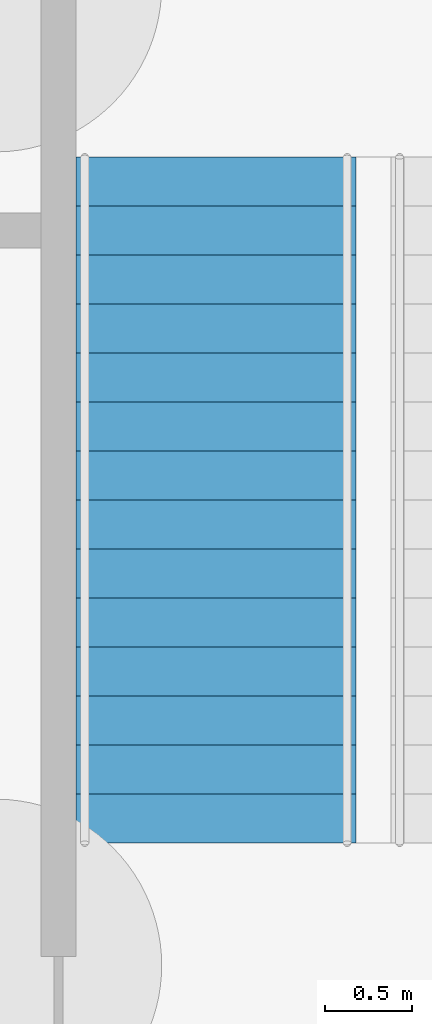
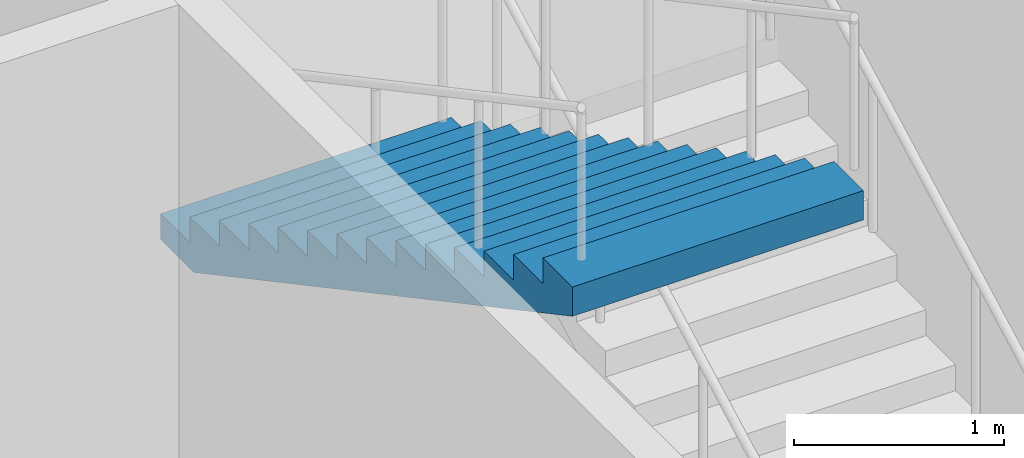
# One storey, part 105 of 113: 1 stair flight, 1 element without a shape of its own.
"""IFC4 building model written with IfcOpenShell, lengths in metres."""

from ifc_helpers import new_model, si_unit, direction, frame, origin, place, context, subcontext, project, spatial, triangles, material, type_object, element, aggregate, save


model = new_model("IFC4")

# Units and contexts
model_context = context("Model", 3, precision=1e-05, world=origin(), true_north=direction((0.0, 1.0)))
body_context = subcontext(model_context, "Body", "Model", "MODEL_VIEW")
ifc_project = project(units=[si_unit("LENGTHUNIT", "METRE"), si_unit("AREAUNIT", "SQUARE_METRE"), si_unit("VOLUMEUNIT", "CUBIC_METRE"), si_unit("PLANEANGLEUNIT", "RADIAN"), si_unit("MASSUNIT", "GRAM", prefix="KILO")], contexts=[model_context])

# Site, building, storey
site_placement = place(None, origin())
site = spatial("IfcSite", under=ifc_project, at=site_placement, CompositionType="ELEMENT")
building_placement = place(site_placement, origin())
building = spatial("IfcBuilding", under=site, at=building_placement, Name="Hakoniwa Tower and Hamabe Station Hall", CompositionType="ELEMENT")
storey_placement = place(building_placement, origin())
storey = spatial("IfcBuildingStorey", under=building, at=storey_placement, Name="L01", CompositionType="ELEMENT", Elevation=0.0)

# Stair, stair flight
ifc_material_1 = material(Name="Concrete C40", Category="concrete")
stair_type = type_object("IfcStairType", Name="STAIR 1600 15X150", PredefinedType="HALF_TURN_STAIR", material=ifc_material_1)
stair_placement = place(storey_placement, origin())
stair = element("IfcStair", 1, at=stair_placement, inside=storey, type_object=stair_type, Name="Escape stair SS2 L01", PredefinedType="HALF_TURN_STAIR")
ifc_material_2 = material(Name="Concrete C40", Category="concrete")
stair_flight_type = type_object("IfcStairFlightType", Name="STAIR FLIGHT 1600", PredefinedType="STRAIGHT", material=ifc_material_2)
stair_flight_placement = place(storey_placement, frame((165.85009765625, 20.820068359375, 6.75), z_axis=(0.0, 0.0, 1.0), x_axis=(0.0, -1.0, 0.0)))
stair_flight = element("IfcStairFlight", 2, at=stair_flight_placement, type_object=stair_flight_type, Name="SS2 flight 4", NumberOfRisers=15, NumberOfTreads=14, PredefinedType="STRAIGHT", RiserHeight=0.15, TreadLength=0.28, context=body_context, shape_type="Tessellation", body=[
    triangles([(0.0, 0.800048828125, 0.0), (0.280029296875, 0.800048828125, 0.0), (0.3173828125, 0.800048828125, 0.0), (0.56005859375, 0.800048828125, 0.1298828125), (0.840087890625, 0.800048828125, 0.280029296875), (1.1201171875, 0.800048828125, 0.429931640625), (1.39990234375, 0.800048828125, 0.579833984375), (1.679931640625, 0.800048828125, 0.72998046875), (1.9599609375, 0.800048828125, 0.8798828125), (2.239990234375, 0.800048828125, 1.030029296875), (2.52001953125, 0.800048828125, 1.179931640625), (2.800048828125, 0.800048828125, 1.329833984375), (3.080078125, 0.800048828125, 1.47998046875), (3.360107421875, 0.800048828125, 1.6298828125), (3.639892578125, 0.800048828125, 1.780029296875), (3.919921875, 0.800048828125, 1.929931640625), (3.919921875, 0.800048828125, 2.10009765625), (3.639892578125, 0.800048828125, 2.10009765625), (3.639892578125, 0.800048828125, 1.949951171875), (3.360107421875, 0.800048828125, 1.949951171875), (3.360107421875, 0.800048828125, 1.800048828125), (3.080078125, 0.800048828125, 1.800048828125), (3.080078125, 0.800048828125, 1.64990234375), (2.800048828125, 0.800048828125, 1.64990234375), (2.800048828125, 0.800048828125, 1.5), (2.52001953125, 0.800048828125, 1.5), (2.52001953125, 0.800048828125, 1.35009765625), (2.239990234375, 0.800048828125, 1.35009765625), (2.239990234375, 0.800048828125, 1.199951171875), (1.9599609375, 0.800048828125, 1.199951171875), (1.9599609375, 0.800048828125, 1.050048828125), (1.679931640625, 0.800048828125, 1.050048828125), (1.679931640625, 0.800048828125, 0.89990234375), (1.39990234375, 0.800048828125, 0.89990234375), (1.39990234375, 0.800048828125, 0.75), (1.1201171875, 0.800048828125, 0.75), (1.1201171875, 0.800048828125, 0.60009765625), (0.840087890625, 0.800048828125, 0.60009765625), (0.840087890625, 0.800048828125, 0.449951171875), (0.56005859375, 0.800048828125, 0.449951171875), (0.56005859375, 0.800048828125, 0.300048828125), (0.3173828125, 0.800048828125, 0.300048828125), (0.280029296875, 0.800048828125, 0.300048828125), (0.280029296875, 0.800048828125, 0.14990234375), (0.0, 0.800048828125, 0.14990234375), (0.0, 0.06005859375, 0.0), (0.280029296875, 0.06005859375, 0.0), (0.3173828125, 0.06005859375, 0.0), (0.56005859375, 0.06005859375, 0.1298828125), (0.840087890625, 0.06005859375, 0.280029296875), (1.1201171875, 0.06005859375, 0.429931640625), (1.39990234375, 0.06005859375, 0.579833984375), (1.679931640625, 0.06005859375, 0.72998046875), (1.9599609375, 0.06005859375, 0.8798828125), (2.239990234375, 0.06005859375, 1.030029296875), (2.52001953125, 0.06005859375, 1.179931640625), (2.800048828125, 0.06005859375, 1.329833984375), (3.080078125, 0.06005859375, 1.47998046875), (3.360107421875, 0.06005859375, 1.6298828125), (3.639892578125, 0.06005859375, 1.780029296875), (3.919921875, 0.06005859375, 1.929931640625), (3.919921875, 0.06005859375, 2.10009765625), (3.639892578125, 0.06005859375, 2.10009765625), (3.639892578125, 0.06005859375, 1.949951171875), (3.360107421875, 0.06005859375, 1.949951171875), (3.360107421875, 0.06005859375, 1.800048828125), (3.080078125, 0.06005859375, 1.800048828125), (3.080078125, 0.06005859375, 1.64990234375), (2.800048828125, 0.06005859375, 1.64990234375), (2.800048828125, 0.06005859375, 1.5), (2.52001953125, 0.06005859375, 1.5), (2.52001953125, 0.06005859375, 1.35009765625), (2.239990234375, 0.06005859375, 1.35009765625), (2.239990234375, 0.06005859375, 1.199951171875), (1.9599609375, 0.06005859375, 1.199951171875), (1.9599609375, 0.06005859375, 1.050048828125), (1.679931640625, 0.06005859375, 1.050048828125), (1.679931640625, 0.06005859375, 0.89990234375), (1.39990234375, 0.06005859375, 0.89990234375), (1.39990234375, 0.06005859375, 0.75), (1.1201171875, 0.06005859375, 0.75), (1.1201171875, 0.06005859375, 0.60009765625), (0.840087890625, 0.06005859375, 0.60009765625), (0.840087890625, 0.06005859375, 0.449951171875), (0.56005859375, 0.06005859375, 0.449951171875), (0.56005859375, 0.06005859375, 0.300048828125), (0.3173828125, 0.06005859375, 0.300048828125), (0.280029296875, 0.06005859375, 0.300048828125), (0.280029296875, 0.06005859375, 0.14990234375), (0.0, 0.06005859375, 0.14990234375), (0.0, 0.02001953125, 0.0), (0.280029296875, 0.02001953125, 0.0), (0.3173828125, 0.02001953125, 0.0), (0.56005859375, 0.02001953125, 0.1298828125), (0.840087890625, 0.02001953125, 0.280029296875), (1.1201171875, 0.02001953125, 0.429931640625), (1.39990234375, 0.02001953125, 0.579833984375), (1.679931640625, 0.02001953125, 0.72998046875), (1.9599609375, 0.02001953125, 0.8798828125), (2.239990234375, 0.02001953125, 1.030029296875), (2.52001953125, 0.02001953125, 1.179931640625), (2.800048828125, 0.02001953125, 1.329833984375), (3.080078125, 0.02001953125, 1.47998046875), (3.360107421875, 0.02001953125, 1.6298828125), (3.639892578125, 0.02001953125, 1.780029296875), (3.919921875, 0.02001953125, 1.929931640625), (3.919921875, 0.02001953125, 2.10009765625), (3.639892578125, 0.02001953125, 2.10009765625), (3.639892578125, 0.02001953125, 1.949951171875), (3.360107421875, 0.02001953125, 1.949951171875), (3.360107421875, 0.02001953125, 1.800048828125), (3.080078125, 0.02001953125, 1.800048828125), (3.080078125, 0.02001953125, 1.64990234375), (2.800048828125, 0.02001953125, 1.64990234375), (2.800048828125, 0.02001953125, 1.5), (2.52001953125, 0.02001953125, 1.5), (2.52001953125, 0.02001953125, 1.35009765625), (2.239990234375, 0.02001953125, 1.35009765625), (2.239990234375, 0.02001953125, 1.199951171875), (1.9599609375, 0.02001953125, 1.199951171875), (1.9599609375, 0.02001953125, 1.050048828125), (1.679931640625, 0.02001953125, 1.050048828125), (1.679931640625, 0.02001953125, 0.89990234375), (1.39990234375, 0.02001953125, 0.89990234375), (1.39990234375, 0.02001953125, 0.75), (1.1201171875, 0.02001953125, 0.75), (1.1201171875, 0.02001953125, 0.60009765625), (0.840087890625, 0.02001953125, 0.60009765625), (0.840087890625, 0.02001953125, 0.449951171875), (0.56005859375, 0.02001953125, 0.449951171875), (0.56005859375, 0.02001953125, 0.300048828125), (0.3173828125, 0.02001953125, 0.300048828125), (0.280029296875, 0.02001953125, 0.300048828125), (0.280029296875, 0.02001953125, 0.14990234375), (0.0, 0.02001953125, 0.14990234375), (0.0, -0.02001953125, 0.0), (0.280029296875, -0.02001953125, 0.0), (0.3173828125, -0.02001953125, 0.0), (0.56005859375, -0.02001953125, 0.1298828125), (0.840087890625, -0.02001953125, 0.280029296875), (1.1201171875, -0.02001953125, 0.429931640625), (1.39990234375, -0.02001953125, 0.579833984375), (1.679931640625, -0.02001953125, 0.72998046875), (1.9599609375, -0.02001953125, 0.8798828125), (2.239990234375, -0.02001953125, 1.030029296875), (2.52001953125, -0.02001953125, 1.179931640625), (2.800048828125, -0.02001953125, 1.329833984375), (3.080078125, -0.02001953125, 1.47998046875), (3.360107421875, -0.02001953125, 1.6298828125), (3.639892578125, -0.02001953125, 1.780029296875), (3.919921875, -0.02001953125, 1.929931640625), (3.919921875, -0.02001953125, 2.10009765625), (3.639892578125, -0.02001953125, 2.10009765625), (3.639892578125, -0.02001953125, 1.949951171875), (3.360107421875, -0.02001953125, 1.949951171875), (3.360107421875, -0.02001953125, 1.800048828125), (3.080078125, -0.02001953125, 1.800048828125), (3.080078125, -0.02001953125, 1.64990234375), (2.800048828125, -0.02001953125, 1.64990234375), (2.800048828125, -0.02001953125, 1.5), (2.52001953125, -0.02001953125, 1.5), (2.52001953125, -0.02001953125, 1.35009765625), (2.239990234375, -0.02001953125, 1.35009765625), (2.239990234375, -0.02001953125, 1.199951171875), (1.9599609375, -0.02001953125, 1.199951171875), (1.9599609375, -0.02001953125, 1.050048828125), (1.679931640625, -0.02001953125, 1.050048828125), (1.679931640625, -0.02001953125, 0.89990234375), (1.39990234375, -0.02001953125, 0.89990234375), (1.39990234375, -0.02001953125, 0.75), (1.1201171875, -0.02001953125, 0.75), (1.1201171875, -0.02001953125, 0.60009765625), (0.840087890625, -0.02001953125, 0.60009765625), (0.840087890625, -0.02001953125, 0.449951171875), (0.56005859375, -0.02001953125, 0.449951171875), (0.56005859375, -0.02001953125, 0.300048828125), (0.3173828125, -0.02001953125, 0.300048828125), (0.280029296875, -0.02001953125, 0.300048828125), (0.280029296875, -0.02001953125, 0.14990234375), (0.0, -0.02001953125, 0.14990234375), (0.0, -0.06005859375, 0.0), (0.280029296875, -0.06005859375, 0.0), (0.3173828125, -0.06005859375, 0.0), (0.56005859375, -0.06005859375, 0.1298828125), (0.840087890625, -0.06005859375, 0.280029296875), (1.1201171875, -0.06005859375, 0.429931640625), (1.39990234375, -0.06005859375, 0.579833984375), (1.679931640625, -0.06005859375, 0.72998046875), (1.9599609375, -0.06005859375, 0.8798828125), (2.239990234375, -0.06005859375, 1.030029296875), (2.52001953125, -0.06005859375, 1.179931640625), (2.800048828125, -0.06005859375, 1.329833984375), (3.080078125, -0.06005859375, 1.47998046875), (3.360107421875, -0.06005859375, 1.6298828125), (3.639892578125, -0.06005859375, 1.780029296875), (3.919921875, -0.06005859375, 1.929931640625), (3.919921875, -0.06005859375, 2.10009765625), (3.639892578125, -0.06005859375, 2.10009765625), (3.639892578125, -0.06005859375, 1.949951171875), (3.360107421875, -0.06005859375, 1.949951171875), (3.360107421875, -0.06005859375, 1.800048828125), (3.080078125, -0.06005859375, 1.800048828125), (3.080078125, -0.06005859375, 1.64990234375), (2.800048828125, -0.06005859375, 1.64990234375), (2.800048828125, -0.06005859375, 1.5), (2.52001953125, -0.06005859375, 1.5), (2.52001953125, -0.06005859375, 1.35009765625), (2.239990234375, -0.06005859375, 1.35009765625), (2.239990234375, -0.06005859375, 1.199951171875), (1.9599609375, -0.06005859375, 1.199951171875), (1.9599609375, -0.06005859375, 1.050048828125), (1.679931640625, -0.06005859375, 1.050048828125), (1.679931640625, -0.06005859375, 0.89990234375), (1.39990234375, -0.06005859375, 0.89990234375), (1.39990234375, -0.06005859375, 0.75), (1.1201171875, -0.06005859375, 0.75), (1.1201171875, -0.06005859375, 0.60009765625), (0.840087890625, -0.06005859375, 0.60009765625), (0.840087890625, -0.06005859375, 0.449951171875), (0.56005859375, -0.06005859375, 0.449951171875), (0.56005859375, -0.06005859375, 0.300048828125), (0.3173828125, -0.06005859375, 0.300048828125), (0.280029296875, -0.06005859375, 0.300048828125), (0.280029296875, -0.06005859375, 0.14990234375), (0.0, -0.06005859375, 0.14990234375), (0.0, -0.800048828125, 0.0), (0.280029296875, -0.800048828125, 0.0), (0.3173828125, -0.800048828125, 0.0), (0.56005859375, -0.800048828125, 0.1298828125), (0.840087890625, -0.800048828125, 0.280029296875), (1.1201171875, -0.800048828125, 0.429931640625), (1.39990234375, -0.800048828125, 0.579833984375), (1.679931640625, -0.800048828125, 0.72998046875), (1.9599609375, -0.800048828125, 0.8798828125), (2.239990234375, -0.800048828125, 1.030029296875), (2.52001953125, -0.800048828125, 1.179931640625), (2.800048828125, -0.800048828125, 1.329833984375), (3.080078125, -0.800048828125, 1.47998046875), (3.360107421875, -0.800048828125, 1.6298828125), (3.639892578125, -0.800048828125, 1.780029296875), (3.919921875, -0.800048828125, 1.929931640625), (3.919921875, -0.800048828125, 2.10009765625), (3.639892578125, -0.800048828125, 2.10009765625), (3.639892578125, -0.800048828125, 1.949951171875), (3.360107421875, -0.800048828125, 1.949951171875), (3.360107421875, -0.800048828125, 1.800048828125), (3.080078125, -0.800048828125, 1.800048828125), (3.080078125, -0.800048828125, 1.64990234375), (2.800048828125, -0.800048828125, 1.64990234375), (2.800048828125, -0.800048828125, 1.5), (2.52001953125, -0.800048828125, 1.5), (2.52001953125, -0.800048828125, 1.35009765625), (2.239990234375, -0.800048828125, 1.35009765625), (2.239990234375, -0.800048828125, 1.199951171875), (1.9599609375, -0.800048828125, 1.199951171875), (1.9599609375, -0.800048828125, 1.050048828125), (1.679931640625, -0.800048828125, 1.050048828125), (1.679931640625, -0.800048828125, 0.89990234375), (1.39990234375, -0.800048828125, 0.89990234375), (1.39990234375, -0.800048828125, 0.75), (1.1201171875, -0.800048828125, 0.75), (1.1201171875, -0.800048828125, 0.60009765625), (0.840087890625, -0.800048828125, 0.60009765625), (0.840087890625, -0.800048828125, 0.449951171875), (0.56005859375, -0.800048828125, 0.449951171875), (0.56005859375, -0.800048828125, 0.300048828125), (0.3173828125, -0.800048828125, 0.300048828125), (0.280029296875, -0.800048828125, 0.300048828125), (0.280029296875, -0.800048828125, 0.14990234375), (0.0, -0.800048828125, 0.14990234375)], [[2, 45, 44], [227, 269, 270], [2, 1, 45], [227, 270, 226], [3, 43, 42], [228, 267, 268], [3, 44, 43], [228, 268, 269], [3, 2, 44], [228, 269, 227], [4, 42, 41], [229, 266, 267], [4, 3, 42], [229, 267, 228], [5, 40, 39], [230, 264, 265], [5, 41, 40], [230, 265, 266], [5, 4, 41], [230, 266, 229], [6, 38, 37], [231, 262, 263], [6, 39, 38], [231, 263, 264], [6, 5, 39], [231, 264, 230], [7, 36, 35], [232, 260, 261], [7, 37, 36], [232, 261, 262], [7, 6, 37], [232, 262, 231], [8, 34, 33], [233, 258, 259], [8, 35, 34], [233, 259, 260], [8, 7, 35], [233, 260, 232], [9, 32, 31], [234, 256, 257], [9, 33, 32], [234, 257, 258], [9, 8, 33], [234, 258, 233], [10, 30, 29], [235, 254, 255], [10, 31, 30], [235, 255, 256], [10, 9, 31], [235, 256, 234], [11, 28, 27], [236, 252, 253], [11, 29, 28], [236, 253, 254], [11, 10, 29], [236, 254, 235], [12, 26, 25], [237, 250, 251], [12, 27, 26], [237, 251, 252], [12, 11, 27], [237, 252, 236], [13, 24, 23], [238, 248, 249], [13, 25, 24], [238, 249, 250], [13, 12, 25], [238, 250, 237], [14, 22, 21], [239, 246, 247], [14, 23, 22], [239, 247, 248], [14, 13, 23], [239, 248, 238], [15, 20, 19], [240, 244, 245], [15, 21, 20], [240, 245, 246], [15, 14, 21], [240, 246, 239], [16, 18, 17], [241, 242, 243], [16, 19, 18], [241, 243, 244], [16, 15, 19], [241, 244, 240], [1, 2, 47], [1, 47, 46], [46, 47, 92], [46, 92, 91], [91, 92, 137], [91, 137, 136], [136, 137, 182], [136, 182, 181], [181, 182, 227], [181, 227, 226], [2, 3, 48], [2, 48, 47], [47, 48, 93], [47, 93, 92], [92, 93, 138], [92, 138, 137], [137, 138, 183], [137, 183, 182], [182, 183, 228], [182, 228, 227], [3, 4, 49], [3, 49, 48], [48, 49, 94], [48, 94, 93], [93, 94, 139], [93, 139, 138], [138, 139, 184], [138, 184, 183], [183, 184, 229], [183, 229, 228], [4, 5, 50], [4, 50, 49], [49, 50, 95], [49, 95, 94], [94, 95, 140], [94, 140, 139], [139, 140, 185], [139, 185, 184], [184, 185, 230], [184, 230, 229], [5, 6, 51], [5, 51, 50], [50, 51, 96], [50, 96, 95], [95, 96, 141], [95, 141, 140], [140, 141, 186], [140, 186, 185], [185, 186, 231], [185, 231, 230], [6, 7, 52], [6, 52, 51], [51, 52, 97], [51, 97, 96], [96, 97, 142], [96, 142, 141], [141, 142, 187], [141, 187, 186], [186, 187, 232], [186, 232, 231], [7, 8, 53], [7, 53, 52], [52, 53, 98], [52, 98, 97], [97, 98, 143], [97, 143, 142], [142, 143, 188], [142, 188, 187], [187, 188, 233], [187, 233, 232], [8, 9, 54], [8, 54, 53], [53, 54, 99], [53, 99, 98], [98, 99, 144], [98, 144, 143], [143, 144, 189], [143, 189, 188], [188, 189, 234], [188, 234, 233], [9, 10, 55], [9, 55, 54], [54, 55, 100], [54, 100, 99], [99, 100, 145], [99, 145, 144], [144, 145, 190], [144, 190, 189], [189, 190, 235], [189, 235, 234], [10, 11, 56], [10, 56, 55], [55, 56, 101], [55, 101, 100], [100, 101, 146], [100, 146, 145], [145, 146, 191], [145, 191, 190], [190, 191, 236], [190, 236, 235], [11, 12, 57], [11, 57, 56], [56, 57, 102], [56, 102, 101], [101, 102, 147], [101, 147, 146], [146, 147, 192], [146, 192, 191], [191, 192, 237], [191, 237, 236], [12, 13, 58], [12, 58, 57], [57, 58, 103], [57, 103, 102], [102, 103, 148], [102, 148, 147], [147, 148, 193], [147, 193, 192], [192, 193, 238], [192, 238, 237], [13, 14, 59], [13, 59, 58], [58, 59, 104], [58, 104, 103], [103, 104, 149], [103, 149, 148], [148, 149, 194], [148, 194, 193], [193, 194, 239], [193, 239, 238], [14, 15, 60], [14, 60, 59], [59, 60, 105], [59, 105, 104], [104, 105, 150], [104, 150, 149], [149, 150, 195], [149, 195, 194], [194, 195, 240], [194, 240, 239], [15, 16, 61], [15, 61, 60], [60, 61, 106], [60, 106, 105], [105, 106, 151], [105, 151, 150], [150, 151, 196], [150, 196, 195], [195, 196, 241], [195, 241, 240], [16, 17, 62], [16, 62, 61], [61, 62, 107], [61, 107, 106], [106, 107, 152], [106, 152, 151], [151, 152, 197], [151, 197, 196], [196, 197, 242], [196, 242, 241], [17, 18, 63], [17, 63, 62], [62, 63, 108], [62, 108, 107], [107, 108, 153], [107, 153, 152], [152, 153, 198], [152, 198, 197], [197, 198, 243], [197, 243, 242], [18, 19, 64], [18, 64, 63], [63, 64, 109], [63, 109, 108], [108, 109, 154], [108, 154, 153], [153, 154, 199], [153, 199, 198], [198, 199, 244], [198, 244, 243], [19, 20, 65], [19, 65, 64], [64, 65, 110], [64, 110, 109], [109, 110, 155], [109, 155, 154], [154, 155, 200], [154, 200, 199], [199, 200, 245], [199, 245, 244], [20, 21, 66], [20, 66, 65], [65, 66, 111], [65, 111, 110], [110, 111, 156], [110, 156, 155], [155, 156, 201], [155, 201, 200], [200, 201, 246], [200, 246, 245], [21, 22, 67], [21, 67, 66], [66, 67, 112], [66, 112, 111], [111, 112, 157], [111, 157, 156], [156, 157, 202], [156, 202, 201], [201, 202, 247], [201, 247, 246], [22, 23, 68], [22, 68, 67], [67, 68, 113], [67, 113, 112], [112, 113, 158], [112, 158, 157], [157, 158, 203], [157, 203, 202], [202, 203, 248], [202, 248, 247], [23, 24, 69], [23, 69, 68], [68, 69, 114], [68, 114, 113], [113, 114, 159], [113, 159, 158], [158, 159, 204], [158, 204, 203], [203, 204, 249], [203, 249, 248], [24, 25, 70], [24, 70, 69], [69, 70, 115], [69, 115, 114], [114, 115, 160], [114, 160, 159], [159, 160, 205], [159, 205, 204], [204, 205, 250], [204, 250, 249], [25, 26, 71], [25, 71, 70], [70, 71, 116], [70, 116, 115], [115, 116, 161], [115, 161, 160], [160, 161, 206], [160, 206, 205], [205, 206, 251], [205, 251, 250], [26, 27, 72], [26, 72, 71], [71, 72, 117], [71, 117, 116], [116, 117, 162], [116, 162, 161], [161, 162, 207], [161, 207, 206], [206, 207, 252], [206, 252, 251], [27, 28, 73], [27, 73, 72], [72, 73, 118], [72, 118, 117], [117, 118, 163], [117, 163, 162], [162, 163, 208], [162, 208, 207], [207, 208, 253], [207, 253, 252], [28, 29, 74], [28, 74, 73], [73, 74, 119], [73, 119, 118], [118, 119, 164], [118, 164, 163], [163, 164, 209], [163, 209, 208], [208, 209, 254], [208, 254, 253], [29, 30, 75], [29, 75, 74], [74, 75, 120], [74, 120, 119], [119, 120, 165], [119, 165, 164], [164, 165, 210], [164, 210, 209], [209, 210, 255], [209, 255, 254], [30, 31, 76], [30, 76, 75], [75, 76, 121], [75, 121, 120], [120, 121, 166], [120, 166, 165], [165, 166, 211], [165, 211, 210], [210, 211, 256], [210, 256, 255], [31, 32, 77], [31, 77, 76], [76, 77, 122], [76, 122, 121], [121, 122, 167], [121, 167, 166], [166, 167, 212], [166, 212, 211], [211, 212, 257], [211, 257, 256], [32, 33, 78], [32, 78, 77], [77, 78, 123], [77, 123, 122], [122, 123, 168], [122, 168, 167], [167, 168, 213], [167, 213, 212], [212, 213, 258], [212, 258, 257], [33, 34, 79], [33, 79, 78], [78, 79, 124], [78, 124, 123], [123, 124, 169], [123, 169, 168], [168, 169, 214], [168, 214, 213], [213, 214, 259], [213, 259, 258], [34, 35, 80], [34, 80, 79], [79, 80, 125], [79, 125, 124], [124, 125, 170], [124, 170, 169], [169, 170, 215], [169, 215, 214], [214, 215, 260], [214, 260, 259], [35, 36, 81], [35, 81, 80], [80, 81, 126], [80, 126, 125], [125, 126, 171], [125, 171, 170], [170, 171, 216], [170, 216, 215], [215, 216, 261], [215, 261, 260], [36, 37, 82], [36, 82, 81], [81, 82, 127], [81, 127, 126], [126, 127, 172], [126, 172, 171], [171, 172, 217], [171, 217, 216], [216, 217, 262], [216, 262, 261], [37, 38, 83], [37, 83, 82], [82, 83, 128], [82, 128, 127], [127, 128, 173], [127, 173, 172], [172, 173, 218], [172, 218, 217], [217, 218, 263], [217, 263, 262], [38, 39, 84], [38, 84, 83], [83, 84, 129], [83, 129, 128], [128, 129, 174], [128, 174, 173], [173, 174, 219], [173, 219, 218], [218, 219, 264], [218, 264, 263], [39, 40, 85], [39, 85, 84], [84, 85, 130], [84, 130, 129], [129, 130, 175], [129, 175, 174], [174, 175, 220], [174, 220, 219], [219, 220, 265], [219, 265, 264], [40, 41, 86], [40, 86, 85], [85, 86, 131], [85, 131, 130], [130, 131, 176], [130, 176, 175], [175, 176, 221], [175, 221, 220], [220, 221, 266], [220, 266, 265], [41, 42, 87], [41, 87, 86], [86, 87, 132], [86, 132, 131], [131, 132, 177], [131, 177, 176], [176, 177, 222], [176, 222, 221], [221, 222, 267], [221, 267, 266], [42, 43, 88], [42, 88, 87], [87, 88, 133], [87, 133, 132], [132, 133, 178], [132, 178, 177], [177, 178, 223], [177, 223, 222], [222, 223, 268], [222, 268, 267], [43, 44, 89], [43, 89, 88], [88, 89, 134], [88, 134, 133], [133, 134, 179], [133, 179, 178], [178, 179, 224], [178, 224, 223], [223, 224, 269], [223, 269, 268], [44, 45, 90], [44, 90, 89], [89, 90, 135], [89, 135, 134], [134, 135, 180], [134, 180, 179], [179, 180, 225], [179, 225, 224], [224, 225, 270], [224, 270, 269], [45, 1, 46], [45, 46, 90], [90, 46, 91], [90, 91, 135], [135, 91, 136], [135, 136, 180], [180, 136, 181], [180, 181, 225], [225, 181, 226], [225, 226, 270]], closed=True),
])
aggregate(stair, [stair_flight])

save(model, "model.ifc")
